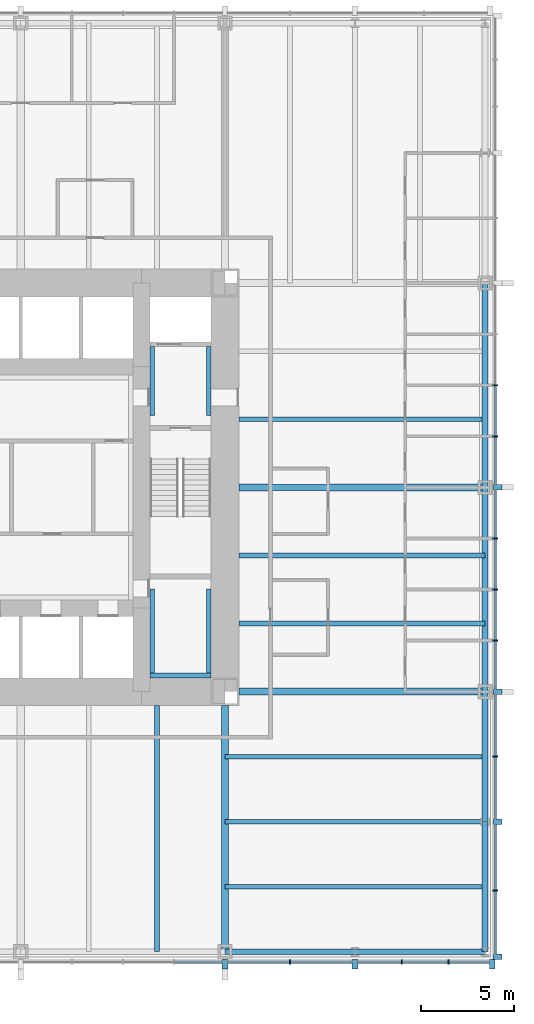
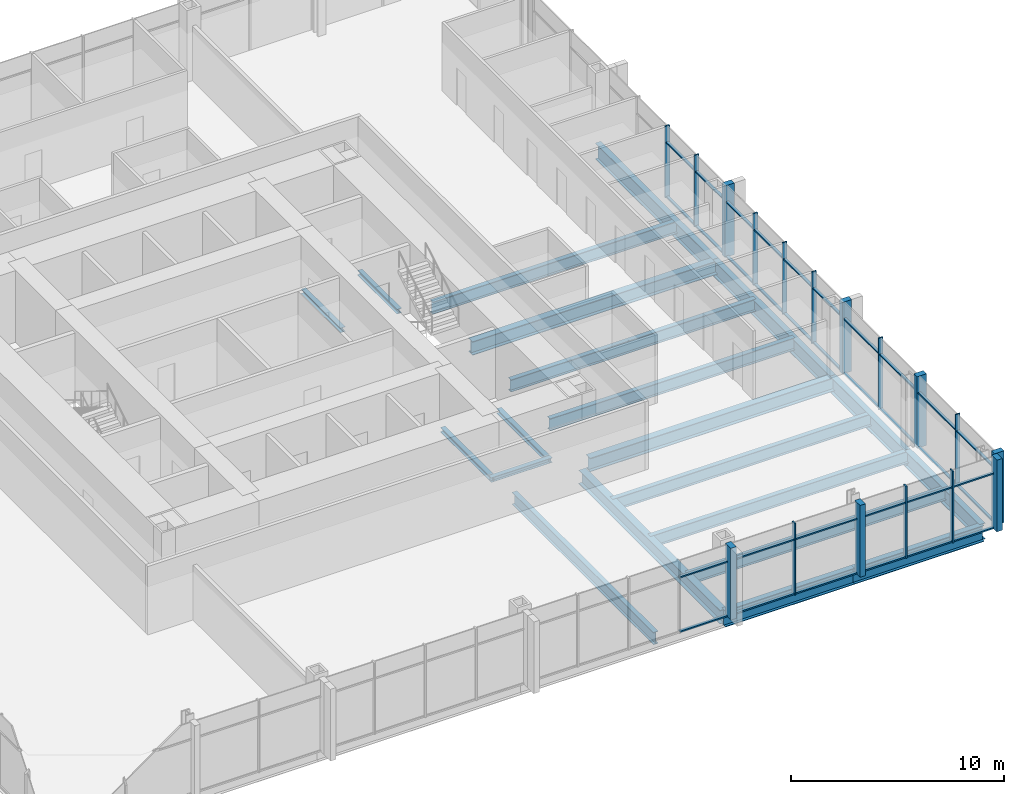
# One storey, part 4 of 12: 49 members, 21 beams, 2 elements without a shape of their own.
"""IFC4 building model written with IfcOpenShell, lengths in metres."""

from ifc_helpers import new_model, si_unit, direction, frame, origin, origin_2d, place, context, subcontext, project, spatial, rectangle, i_section, extrude, material, material_profile, profile_set, type_object, element, aggregate, save


model = new_model("IFC4")

# Units and contexts
model_context = context("Model", 3, precision=1e-05, world=origin(), true_north=direction((0.0, 1.0)))
body_context = subcontext(model_context, "Body", "Model", "MODEL_VIEW")
ifc_project = project(units=[si_unit("LENGTHUNIT", "METRE"), si_unit("AREAUNIT", "SQUARE_METRE"), si_unit("VOLUMEUNIT", "CUBIC_METRE"), si_unit("PLANEANGLEUNIT", "RADIAN"), si_unit("MASSUNIT", "GRAM", prefix="KILO")], contexts=[model_context])

# Site, building, storey
site_placement = place(None, origin())
site = spatial("IfcSite", under=ifc_project, at=site_placement, CompositionType="ELEMENT")
building_placement = place(site_placement, origin())
building = spatial("IfcBuilding", under=site, at=building_placement, Name="Trevanion Tower", CompositionType="ELEMENT")
storey_placement = place(building_placement, frame((0.0, 0.0, 52.89990234375)))
storey = spatial("IfcBuildingStorey", under=building, at=storey_placement, Name="L12", CompositionType="ELEMENT", Elevation=52.89990234375)

# Beams
ifc_material_1 = material(Name="Steel ASTM A992 Grade 50", Category="steel")
ifc_material_profile_1 = material_profile(ifc_material_1, i_section(OverallWidth=0.25390625, OverallDepth=0.700927734375, WebThickness=0.015380859375, FlangeThickness=0.02783203125, at=origin_2d()), Name="W27X129")
ifc_profile_set_1 = profile_set([ifc_material_profile_1], Name="Steel ASTM A992 Grade 50")
beam_type_1 = type_object("IfcBeamType", Name="B3 W27X129", PredefinedType="BEAM", material=ifc_profile_set_1)
for number, where, z_axis, x_axis, name in (
    (1, (11.75, -7.333251953125, -0.540283203125), (1.0, 0.0, 0.0), (0.0, 1.0, 0.0), "B3 L12"),
    (2, (11.75, -3.666748046875, -0.540283203125), (1.0, 0.0, 0.0), (0.0, 1.0, 0.0), "B3 L12"),
    (3, (11.75, 3.666748046875, -0.540283203125), (1.0, 0.0, 0.0), (0.0, 1.0, 0.0), "B3 L12"),
    (4, (7.333251953125, -11.75, -0.540283203125), (0.0, -1.0, 0.0), (1.0, 0.0, 0.0), "B3 L12"),
):
    element("IfcBeam", number, at=place(storey_placement, frame(where, z_axis=z_axis, x_axis=x_axis)), inside=storey, type_object=beam_type_1, Name=name, PredefinedType="BEAM", context=body_context, shape_type="SweptSolid", body=[
        extrude(i_section(OverallWidth=0.25390625, OverallDepth=0.700927734375, WebThickness=0.015380859375, FlangeThickness=0.02783203125, at=origin_2d()), origin(), (0.0, 0.0, 1.0), 13.25),
    ])
ifc_material_2 = material(Name="Steel ASTM A992 Grade 50", Category="steel")
ifc_material_profile_2 = material_profile(ifc_material_2, i_section(OverallWidth=0.256591796875, OverallDepth=0.693359375, WebThickness=0.014404296875, FlangeThickness=0.023681640625, at=origin_2d()), Name="W27X114")
ifc_profile_set_2 = profile_set([ifc_material_profile_2], Name="Steel ASTM A992 Grade 50")
beam_type_2 = type_object("IfcBeamType", Name="B4 W27X114", PredefinedType="BEAM", material=ifc_profile_set_2)
for number, where, z_axis, x_axis, name in (
    (5, (11.0, -14.5, -0.53662109375), (1.0, 0.0, 0.0), (0.0, 1.0, 0.0), "B4 L12"),
    (6, (11.0, -18.0, -0.53662109375), (1.0, 0.0, 0.0), (0.0, 1.0, 0.0), "B4 L12"),
    (7, (11.0, -21.5, -0.53662109375), (1.0, 0.0, 0.0), (0.0, 1.0, 0.0), "B4 L12"),
):
    element("IfcBeam", number, at=place(storey_placement, frame(where, z_axis=z_axis, x_axis=x_axis)), inside=storey, type_object=beam_type_2, Name=name, PredefinedType="BEAM", context=body_context, shape_type="SweptSolid", body=[
        extrude(i_section(OverallWidth=0.256591796875, OverallDepth=0.693359375, WebThickness=0.014404296875, FlangeThickness=0.023681640625, at=origin_2d()), origin(), (0.0, 0.0, 1.0), 14.0),
    ])

# Curtain wall, members
ifc_material_3 = material(Name="Aluminium and glass", Category="aluminium")
curtain_wall_type = type_object("IfcCurtainWallType", Name="CW1 curtain wall", PredefinedType="USERDEFINED", material=ifc_material_3)
curtain_wall_1_placement = place(storey_placement, origin())
curtain_wall_1 = element("IfcCurtainWall", 8, at=curtain_wall_1_placement, inside=storey, type_object=curtain_wall_type, Name="CW1 L12 0", ObjectType="UNITISED CURTAIN WALL", PredefinedType="USERDEFINED")
ifc_material_4 = material(Name="Aluminium extrusion, anodised bronze", Category="aluminium")
ifc_material_profile_3 = material_profile(ifc_material_4, rectangle(XDim=0.074951171875, YDim=0.25, at=origin_2d()), Name="CW1 mullion")
ifc_profile_set_3 = profile_set([ifc_material_profile_3], Name="Aluminium extrusion, anodised bronze")
member_type_1 = type_object("IfcMemberType", Name="CW1 mullion", PredefinedType="MULLION", material=ifc_profile_set_3)
member_1_placement = place(storey_placement, frame((25.550048828125, -21.7099609375, -0.18994140625), z_axis=(0.0, 0.0, 1.0), x_axis=(0.0, 1.0, 0.0)))
member_1 = element("IfcMember", 9, at=member_1_placement, type_object=member_type_1, Name="CW1 mullion 2", PredefinedType="MULLION", context=body_context, shape_type="SweptSolid", body=[
    extrude(rectangle(XDim=0.074951171875, YDim=0.25, at=origin_2d()), origin(), (0.0, 0.0, 1.0), 4.10009765625),
])
member_2_placement = place(storey_placement, frame((25.550048828125, -14.5, -0.18994140625), z_axis=(0.0, 0.0, 1.0), x_axis=(0.0, 1.0, 0.0)))
member_2 = element("IfcMember", 10, at=member_2_placement, type_object=member_type_1, Name="CW1 mullion 4", PredefinedType="MULLION", context=body_context, shape_type="SweptSolid", body=[
    extrude(rectangle(XDim=0.074951171875, YDim=0.25, at=origin_2d()), origin(), (0.0, 0.0, 1.0), 4.10009765625),
])
member_3_placement = place(storey_placement, frame((25.550048828125, -8.25, -0.18994140625), z_axis=(0.0, 0.0, 1.0), x_axis=(0.0, 1.0, 0.0)))
member_3 = element("IfcMember", 11, at=member_3_placement, type_object=member_type_1, Name="CW1 mullion 6", PredefinedType="MULLION", context=body_context, shape_type="SweptSolid", body=[
    extrude(rectangle(XDim=0.074951171875, YDim=0.25, at=origin_2d()), origin(), (0.0, 0.0, 1.0), 4.10009765625),
])
member_4_placement = place(storey_placement, frame((25.550048828125, -5.5, -0.18994140625), z_axis=(0.0, 0.0, 1.0), x_axis=(0.0, 1.0, 0.0)))
member_4 = element("IfcMember", 12, at=member_4_placement, type_object=member_type_1, Name="CW1 mullion 7", PredefinedType="MULLION", context=body_context, shape_type="SweptSolid", body=[
    extrude(rectangle(XDim=0.074951171875, YDim=0.25, at=origin_2d()), origin(), (0.0, 0.0, 1.0), 4.10009765625),
])
member_5_placement = place(storey_placement, frame((25.550048828125, -2.75, -0.18994140625), z_axis=(0.0, 0.0, 1.0), x_axis=(0.0, 1.0, 0.0)))
member_5 = element("IfcMember", 13, at=member_5_placement, type_object=member_type_1, Name="CW1 mullion 8", PredefinedType="MULLION", context=body_context, shape_type="SweptSolid", body=[
    extrude(rectangle(XDim=0.074951171875, YDim=0.25, at=origin_2d()), origin(), (0.0, 0.0, 1.0), 4.10009765625),
])
member_6_placement = place(storey_placement, frame((25.550048828125, 2.75, -0.18994140625), z_axis=(0.0, 0.0, 1.0), x_axis=(0.0, 1.0, 0.0)))
member_6 = element("IfcMember", 14, at=member_6_placement, type_object=member_type_1, Name="CW1 mullion 10", PredefinedType="MULLION", context=body_context, shape_type="SweptSolid", body=[
    extrude(rectangle(XDim=0.074951171875, YDim=0.25, at=origin_2d()), origin(), (0.0, 0.0, 1.0), 4.10009765625),
])
member_7_placement = place(storey_placement, frame((25.550048828125, 5.5, -0.18994140625), z_axis=(0.0, 0.0, 1.0), x_axis=(0.0, 1.0, 0.0)))
member_7 = element("IfcMember", 15, at=member_7_placement, type_object=member_type_1, Name="CW1 mullion 11", PredefinedType="MULLION", context=body_context, shape_type="SweptSolid", body=[
    extrude(rectangle(XDim=0.074951171875, YDim=0.25, at=origin_2d()), origin(), (0.0, 0.0, 1.0), 4.10009765625),
])

curtain_wall_2_placement = place(storey_placement, origin())
curtain_wall_2 = element("IfcCurtainWall", 16, at=curtain_wall_2_placement, inside=storey, type_object=curtain_wall_type, Name="CW1 L12 3", ObjectType="UNITISED CURTAIN WALL", PredefinedType="USERDEFINED")
member_8_placement = place(storey_placement, frame((14.5, -25.550048828125, -0.18994140625), z_axis=(0.0, 0.0, 1.0), x_axis=(1.0, 0.0, 0.0)))
member_8 = element("IfcMember", 17, at=member_8_placement, type_object=member_type_1, Name="CW1 mullion 14", PredefinedType="MULLION", context=body_context, shape_type="SweptSolid", body=[
    extrude(rectangle(XDim=0.074951171875, YDim=0.25, at=origin_2d()), origin(), (0.0, 0.0, 1.0), 4.10009765625),
])
member_9_placement = place(storey_placement, frame((20.5166015625, -25.550048828125, -0.18994140625), z_axis=(0.0, 0.0, 1.0), x_axis=(1.0, 0.0, 0.0)))
member_9 = element("IfcMember", 18, at=member_9_placement, type_object=member_type_1, Name="CW1 mullion 16", PredefinedType="MULLION", context=body_context, shape_type="SweptSolid", body=[
    extrude(rectangle(XDim=0.074951171875, YDim=0.25, at=origin_2d()), origin(), (0.0, 0.0, 1.0), 4.10009765625),
])
member_10_placement = place(storey_placement, frame((23.033203125, -25.550048828125, -0.18994140625), z_axis=(0.0, 0.0, 1.0), x_axis=(1.0, 0.0, 0.0)))
member_10 = element("IfcMember", 19, at=member_10_placement, type_object=member_type_1, Name="CW1 mullion 17", PredefinedType="MULLION", context=body_context, shape_type="SweptSolid", body=[
    extrude(rectangle(XDim=0.074951171875, YDim=0.25, at=origin_2d()), origin(), (0.0, 0.0, 1.0), 4.10009765625),
])

# Member
ifc_material_5 = material(Name="Aluminium extrusion, anodised bronze", Category="aluminium")
ifc_material_profile_4 = material_profile(ifc_material_5, rectangle(XDim=0.300048828125, YDim=0.5, at=origin_2d()), Name="CW1 pier mullion")
ifc_profile_set_4 = profile_set([ifc_material_profile_4], Name="Aluminium extrusion, anodised bronze")
member_type_2 = type_object("IfcMemberType", Name="CW1 pier mullion", PredefinedType="MULLION", material=ifc_profile_set_4)
member_11_placement = place(storey_placement, frame((25.675048828125, -25.27001953125, -0.18994140625), z_axis=(0.0, 0.0, 1.0), x_axis=(0.0, 1.0, 0.0)))
member_11 = element("IfcMember", 20, at=member_11_placement, type_object=member_type_2, Name="CW1 pier mullion 1", PredefinedType="MULLION", context=body_context, shape_type="SweptSolid", body=[
    extrude(rectangle(XDim=0.300048828125, YDim=0.5, at=origin_2d()), origin(), (0.0, 0.0, 1.0), 4.10009765625),
])

member_12_placement = place(storey_placement, frame((25.675048828125, -18.0, -0.18994140625), z_axis=(0.0, 0.0, 1.0), x_axis=(0.0, 1.0, 0.0)))
member_12 = element("IfcMember", 21, at=member_12_placement, type_object=member_type_2, Name="CW1 pier mullion 3", PredefinedType="MULLION", context=body_context, shape_type="SweptSolid", body=[
    extrude(rectangle(XDim=0.300048828125, YDim=0.5, at=origin_2d()), origin(), (0.0, 0.0, 1.0), 4.10009765625),
])

member_13_placement = place(storey_placement, frame((25.675048828125, -11.0, -0.18994140625), z_axis=(0.0, 0.0, 1.0), x_axis=(0.0, 1.0, 0.0)))
member_13 = element("IfcMember", 22, at=member_13_placement, type_object=member_type_2, Name="CW1 pier mullion 5", PredefinedType="MULLION", context=body_context, shape_type="SweptSolid", body=[
    extrude(rectangle(XDim=0.300048828125, YDim=0.5, at=origin_2d()), origin(), (0.0, 0.0, 1.0), 4.10009765625),
])

member_14_placement = place(storey_placement, frame((25.675048828125, 0.0, -0.18994140625), z_axis=(0.0, 0.0, 1.0), x_axis=(0.0, 1.0, 0.0)))
member_14 = element("IfcMember", 23, at=member_14_placement, type_object=member_type_2, Name="CW1 pier mullion 9", PredefinedType="MULLION", context=body_context, shape_type="SweptSolid", body=[
    extrude(rectangle(XDim=0.300048828125, YDim=0.5, at=origin_2d()), origin(), (0.0, 0.0, 1.0), 4.10009765625),
])

member_15_placement = place(storey_placement, frame((11.0, -25.675048828125, -0.18994140625), z_axis=(0.0, 0.0, 1.0), x_axis=(1.0, 0.0, 0.0)))
member_15 = element("IfcMember", 24, at=member_15_placement, type_object=member_type_2, Name="CW1 pier mullion 13", PredefinedType="MULLION", context=body_context, shape_type="SweptSolid", body=[
    extrude(rectangle(XDim=0.300048828125, YDim=0.5, at=origin_2d()), origin(), (0.0, 0.0, 1.0), 4.10009765625),
])

member_16_placement = place(storey_placement, frame((18.0, -25.675048828125, -0.18994140625), z_axis=(0.0, 0.0, 1.0), x_axis=(1.0, 0.0, 0.0)))
member_16 = element("IfcMember", 25, at=member_16_placement, type_object=member_type_2, Name="CW1 pier mullion 15", PredefinedType="MULLION", context=body_context, shape_type="SweptSolid", body=[
    extrude(rectangle(XDim=0.300048828125, YDim=0.5, at=origin_2d()), origin(), (0.0, 0.0, 1.0), 4.10009765625),
])

member_17_placement = place(storey_placement, frame((25.39990234375, -25.675048828125, -0.18994140625), z_axis=(0.0, 0.0, 1.0), x_axis=(1.0, 0.0, 0.0)))
member_17 = element("IfcMember", 26, at=member_17_placement, type_object=member_type_2, Name="CW1 pier mullion 18", PredefinedType="MULLION", context=body_context, shape_type="SweptSolid", body=[
    extrude(rectangle(XDim=0.300048828125, YDim=0.5, at=origin_2d()), origin(), (0.0, 0.0, 1.0), 4.10009765625),
])

ifc_material_6 = material(Name="Aluminium extrusion, anodised bronze", Category="aluminium")
ifc_material_profile_5 = material_profile(ifc_material_6, rectangle(XDim=0.14990234375, YDim=0.074951171875, at=origin_2d()), Name="CW1 transom")
ifc_profile_set_5 = profile_set([ifc_material_profile_5], Name="Aluminium extrusion, anodised bronze")
member_type_3 = type_object("IfcMemberType", Name="CW1 transom", PredefinedType="USERDEFINED", material=ifc_profile_set_5)
member_18_placement = place(storey_placement, frame((25.550048828125, -25.1201171875, -0.15234375), z_axis=(0.0, 1.0, 0.0), x_axis=(-1.0, 0.0, 0.0)))
member_18 = element("IfcMember", 27, at=member_18_placement, type_object=member_type_3, Name="CW1 transom 1.1", ObjectType="TRANSOM", PredefinedType="USERDEFINED", context=body_context, shape_type="SweptSolid", body=[
    extrude(rectangle(XDim=0.14990234375, YDim=0.074951171875, at=origin_2d()), origin(), (0.0, 0.0, 1.0), 3.37255859375),
])

member_19_placement = place(storey_placement, frame((25.550048828125, -25.1201171875, 2.960205078125), z_axis=(0.0, 1.0, 0.0), x_axis=(-1.0, 0.0, 0.0)))
member_19 = element("IfcMember", 28, at=member_19_placement, type_object=member_type_3, Name="CW1 transom 1.2", ObjectType="TRANSOM", PredefinedType="USERDEFINED", context=body_context, shape_type="SweptSolid", body=[
    extrude(rectangle(XDim=0.14990234375, YDim=0.074951171875, at=origin_2d()), origin(), (0.0, 0.0, 1.0), 3.37255859375),
])

member_20_placement = place(storey_placement, frame((25.550048828125, -21.672607421875, -0.15234375), z_axis=(0.0, 1.0, 0.0), x_axis=(-1.0, 0.0, 0.0)))
member_20 = element("IfcMember", 29, at=member_20_placement, type_object=member_type_3, Name="CW1 transom 2.1", ObjectType="TRANSOM", PredefinedType="USERDEFINED", context=body_context, shape_type="SweptSolid", body=[
    extrude(rectangle(XDim=0.14990234375, YDim=0.074951171875, at=origin_2d()), origin(), (0.0, 0.0, 1.0), 3.522705078125),
])

member_21_placement = place(storey_placement, frame((25.550048828125, -21.672607421875, 2.960205078125), z_axis=(0.0, 1.0, 0.0), x_axis=(-1.0, 0.0, 0.0)))
member_21 = element("IfcMember", 30, at=member_21_placement, type_object=member_type_3, Name="CW1 transom 2.2", ObjectType="TRANSOM", PredefinedType="USERDEFINED", context=body_context, shape_type="SweptSolid", body=[
    extrude(rectangle(XDim=0.14990234375, YDim=0.074951171875, at=origin_2d()), origin(), (0.0, 0.0, 1.0), 3.522705078125),
])

member_22_placement = place(storey_placement, frame((25.550048828125, -17.85009765625, -0.15234375), z_axis=(0.0, 1.0, 0.0), x_axis=(-1.0, 0.0, 0.0)))
member_22 = element("IfcMember", 31, at=member_22_placement, type_object=member_type_3, Name="CW1 transom 3.1", ObjectType="TRANSOM", PredefinedType="USERDEFINED", context=body_context, shape_type="SweptSolid", body=[
    extrude(rectangle(XDim=0.14990234375, YDim=0.074951171875, at=origin_2d()), origin(), (0.0, 0.0, 1.0), 3.3125),
])

member_23_placement = place(storey_placement, frame((25.550048828125, -17.85009765625, 2.960205078125), z_axis=(0.0, 1.0, 0.0), x_axis=(-1.0, 0.0, 0.0)))
member_23 = element("IfcMember", 32, at=member_23_placement, type_object=member_type_3, Name="CW1 transom 3.2", ObjectType="TRANSOM", PredefinedType="USERDEFINED", context=body_context, shape_type="SweptSolid", body=[
    extrude(rectangle(XDim=0.14990234375, YDim=0.074951171875, at=origin_2d()), origin(), (0.0, 0.0, 1.0), 3.3125),
])

member_24_placement = place(storey_placement, frame((25.550048828125, -14.46240234375, -0.15234375), z_axis=(0.0, 1.0, 0.0), x_axis=(-1.0, 0.0, 0.0)))
member_24 = element("IfcMember", 33, at=member_24_placement, type_object=member_type_3, Name="CW1 transom 4.1", ObjectType="TRANSOM", PredefinedType="USERDEFINED", context=body_context, shape_type="SweptSolid", body=[
    extrude(rectangle(XDim=0.14990234375, YDim=0.074951171875, at=origin_2d()), origin(), (0.0, 0.0, 1.0), 3.3125),
])

member_25_placement = place(storey_placement, frame((25.550048828125, -14.46240234375, 2.960205078125), z_axis=(0.0, 1.0, 0.0), x_axis=(-1.0, 0.0, 0.0)))
member_25 = element("IfcMember", 34, at=member_25_placement, type_object=member_type_3, Name="CW1 transom 4.2", ObjectType="TRANSOM", PredefinedType="USERDEFINED", context=body_context, shape_type="SweptSolid", body=[
    extrude(rectangle(XDim=0.14990234375, YDim=0.074951171875, at=origin_2d()), origin(), (0.0, 0.0, 1.0), 3.3125),
])

member_26_placement = place(storey_placement, frame((25.550048828125, -10.85009765625, -0.15234375), z_axis=(0.0, 1.0, 0.0), x_axis=(-1.0, 0.0, 0.0)))
member_26 = element("IfcMember", 35, at=member_26_placement, type_object=member_type_3, Name="CW1 transom 5.1", ObjectType="TRANSOM", PredefinedType="USERDEFINED", context=body_context, shape_type="SweptSolid", body=[
    extrude(rectangle(XDim=0.14990234375, YDim=0.074951171875, at=origin_2d()), origin(), (0.0, 0.0, 1.0), 2.5625),
])

member_27_placement = place(storey_placement, frame((25.550048828125, -10.85009765625, 2.960205078125), z_axis=(0.0, 1.0, 0.0), x_axis=(-1.0, 0.0, 0.0)))
member_27 = element("IfcMember", 36, at=member_27_placement, type_object=member_type_3, Name="CW1 transom 5.2", ObjectType="TRANSOM", PredefinedType="USERDEFINED", context=body_context, shape_type="SweptSolid", body=[
    extrude(rectangle(XDim=0.14990234375, YDim=0.074951171875, at=origin_2d()), origin(), (0.0, 0.0, 1.0), 2.5625),
])

member_28_placement = place(storey_placement, frame((25.550048828125, -8.21240234375, -0.15234375), z_axis=(0.0, 1.0, 0.0), x_axis=(-1.0, 0.0, 0.0)))
member_28 = element("IfcMember", 37, at=member_28_placement, type_object=member_type_3, Name="CW1 transom 6.1", ObjectType="TRANSOM", PredefinedType="USERDEFINED", context=body_context, shape_type="SweptSolid", body=[
    extrude(rectangle(XDim=0.14990234375, YDim=0.074951171875, at=origin_2d()), origin(), (0.0, 0.0, 1.0), 2.6748046875),
])

member_29_placement = place(storey_placement, frame((25.550048828125, -8.21240234375, 2.960205078125), z_axis=(0.0, 1.0, 0.0), x_axis=(-1.0, 0.0, 0.0)))
member_29 = element("IfcMember", 38, at=member_29_placement, type_object=member_type_3, Name="CW1 transom 6.2", ObjectType="TRANSOM", PredefinedType="USERDEFINED", context=body_context, shape_type="SweptSolid", body=[
    extrude(rectangle(XDim=0.14990234375, YDim=0.074951171875, at=origin_2d()), origin(), (0.0, 0.0, 1.0), 2.6748046875),
])

member_30_placement = place(storey_placement, frame((25.550048828125, -5.46240234375, -0.15234375), z_axis=(0.0, 1.0, 0.0), x_axis=(-1.0, 0.0, 0.0)))
member_30 = element("IfcMember", 39, at=member_30_placement, type_object=member_type_3, Name="CW1 transom 7.1", ObjectType="TRANSOM", PredefinedType="USERDEFINED", context=body_context, shape_type="SweptSolid", body=[
    extrude(rectangle(XDim=0.14990234375, YDim=0.074951171875, at=origin_2d()), origin(), (0.0, 0.0, 1.0), 2.6748046875),
])

member_31_placement = place(storey_placement, frame((25.550048828125, -5.46240234375, 2.960205078125), z_axis=(0.0, 1.0, 0.0), x_axis=(-1.0, 0.0, 0.0)))
member_31 = element("IfcMember", 40, at=member_31_placement, type_object=member_type_3, Name="CW1 transom 7.2", ObjectType="TRANSOM", PredefinedType="USERDEFINED", context=body_context, shape_type="SweptSolid", body=[
    extrude(rectangle(XDim=0.14990234375, YDim=0.074951171875, at=origin_2d()), origin(), (0.0, 0.0, 1.0), 2.6748046875),
])

member_32_placement = place(storey_placement, frame((25.550048828125, -2.71240234375, -0.15234375), z_axis=(0.0, 1.0, 0.0), x_axis=(-1.0, 0.0, 0.0)))
member_32 = element("IfcMember", 41, at=member_32_placement, type_object=member_type_3, Name="CW1 transom 8.1", ObjectType="TRANSOM", PredefinedType="USERDEFINED", context=body_context, shape_type="SweptSolid", body=[
    extrude(rectangle(XDim=0.14990234375, YDim=0.074951171875, at=origin_2d()), origin(), (0.0, 0.0, 1.0), 2.5625),
])

member_33_placement = place(storey_placement, frame((25.550048828125, -2.71240234375, 2.960205078125), z_axis=(0.0, 1.0, 0.0), x_axis=(-1.0, 0.0, 0.0)))
member_33 = element("IfcMember", 42, at=member_33_placement, type_object=member_type_3, Name="CW1 transom 8.2", ObjectType="TRANSOM", PredefinedType="USERDEFINED", context=body_context, shape_type="SweptSolid", body=[
    extrude(rectangle(XDim=0.14990234375, YDim=0.074951171875, at=origin_2d()), origin(), (0.0, 0.0, 1.0), 2.5625),
])

member_34_placement = place(storey_placement, frame((25.550048828125, 0.14990234375, -0.15234375), z_axis=(0.0, 1.0, 0.0), x_axis=(-1.0, 0.0, 0.0)))
member_34 = element("IfcMember", 43, at=member_34_placement, type_object=member_type_3, Name="CW1 transom 9.1", ObjectType="TRANSOM", PredefinedType="USERDEFINED", context=body_context, shape_type="SweptSolid", body=[
    extrude(rectangle(XDim=0.14990234375, YDim=0.074951171875, at=origin_2d()), origin(), (0.0, 0.0, 1.0), 2.5625),
])

member_35_placement = place(storey_placement, frame((25.550048828125, 0.14990234375, 2.960205078125), z_axis=(0.0, 1.0, 0.0), x_axis=(-1.0, 0.0, 0.0)))
member_35 = element("IfcMember", 44, at=member_35_placement, type_object=member_type_3, Name="CW1 transom 9.2", ObjectType="TRANSOM", PredefinedType="USERDEFINED", context=body_context, shape_type="SweptSolid", body=[
    extrude(rectangle(XDim=0.14990234375, YDim=0.074951171875, at=origin_2d()), origin(), (0.0, 0.0, 1.0), 2.5625),
])

member_36_placement = place(storey_placement, frame((25.550048828125, 2.78759765625, -0.15234375), z_axis=(0.0, 1.0, 0.0), x_axis=(-1.0, 0.0, 0.0)))
member_36 = element("IfcMember", 45, at=member_36_placement, type_object=member_type_3, Name="CW1 transom 10.1", ObjectType="TRANSOM", PredefinedType="USERDEFINED", context=body_context, shape_type="SweptSolid", body=[
    extrude(rectangle(XDim=0.14990234375, YDim=0.074951171875, at=origin_2d()), origin(), (0.0, 0.0, 1.0), 2.6748046875),
])

member_37_placement = place(storey_placement, frame((25.550048828125, 2.78759765625, 2.960205078125), z_axis=(0.0, 1.0, 0.0), x_axis=(-1.0, 0.0, 0.0)))
member_37 = element("IfcMember", 46, at=member_37_placement, type_object=member_type_3, Name="CW1 transom 10.2", ObjectType="TRANSOM", PredefinedType="USERDEFINED", context=body_context, shape_type="SweptSolid", body=[
    extrude(rectangle(XDim=0.14990234375, YDim=0.074951171875, at=origin_2d()), origin(), (0.0, 0.0, 1.0), 2.6748046875),
])

aggregate(curtain_wall_1, [member_11, member_1, member_12, member_2, member_13, member_3, member_4, member_5, member_14, member_6, member_7, member_18, member_19, member_20, member_21, member_22, member_23, member_24, member_25, member_26, member_27, member_28, member_29, member_30, member_31, member_32, member_33, member_34, member_35, member_36, member_37])

member_38_placement = place(storey_placement, frame((8.28759765625, -25.550048828125, -0.15234375), z_axis=(1.0, 0.0, 0.0), x_axis=(0.0, 1.0, 0.0)))
member_38 = element("IfcMember", 47, at=member_38_placement, type_object=member_type_3, Name="CW1 transom 12.1", ObjectType="TRANSOM", PredefinedType="USERDEFINED", context=body_context, shape_type="SweptSolid", body=[
    extrude(rectangle(XDim=0.14990234375, YDim=0.074951171875, at=origin_2d()), origin(), (0.0, 0.0, 1.0), 2.5625),
])

member_39_placement = place(storey_placement, frame((8.28759765625, -25.550048828125, 2.960205078125), z_axis=(1.0, 0.0, 0.0), x_axis=(0.0, 1.0, 0.0)))
member_39 = element("IfcMember", 48, at=member_39_placement, type_object=member_type_3, Name="CW1 transom 12.2", ObjectType="TRANSOM", PredefinedType="USERDEFINED", context=body_context, shape_type="SweptSolid", body=[
    extrude(rectangle(XDim=0.14990234375, YDim=0.074951171875, at=origin_2d()), origin(), (0.0, 0.0, 1.0), 2.5625),
])

member_40_placement = place(storey_placement, frame((11.14990234375, -25.550048828125, -0.15234375), z_axis=(1.0, 0.0, 0.0), x_axis=(0.0, 1.0, 0.0)))
member_40 = element("IfcMember", 49, at=member_40_placement, type_object=member_type_3, Name="CW1 transom 13.1", ObjectType="TRANSOM", PredefinedType="USERDEFINED", context=body_context, shape_type="SweptSolid", body=[
    extrude(rectangle(XDim=0.14990234375, YDim=0.074951171875, at=origin_2d()), origin(), (0.0, 0.0, 1.0), 3.3125),
])

member_41_placement = place(storey_placement, frame((11.14990234375, -25.550048828125, 2.960205078125), z_axis=(1.0, 0.0, 0.0), x_axis=(0.0, 1.0, 0.0)))
member_41 = element("IfcMember", 50, at=member_41_placement, type_object=member_type_3, Name="CW1 transom 13.2", ObjectType="TRANSOM", PredefinedType="USERDEFINED", context=body_context, shape_type="SweptSolid", body=[
    extrude(rectangle(XDim=0.14990234375, YDim=0.074951171875, at=origin_2d()), origin(), (0.0, 0.0, 1.0), 3.3125),
])

member_42_placement = place(storey_placement, frame((14.53759765625, -25.550048828125, -0.15234375), z_axis=(1.0, 0.0, 0.0), x_axis=(0.0, 1.0, 0.0)))
member_42 = element("IfcMember", 51, at=member_42_placement, type_object=member_type_3, Name="CW1 transom 14.1", ObjectType="TRANSOM", PredefinedType="USERDEFINED", context=body_context, shape_type="SweptSolid", body=[
    extrude(rectangle(XDim=0.14990234375, YDim=0.074951171875, at=origin_2d()), origin(), (0.0, 0.0, 1.0), 3.3125),
])

member_43_placement = place(storey_placement, frame((14.53759765625, -25.550048828125, 2.960205078125), z_axis=(1.0, 0.0, 0.0), x_axis=(0.0, 1.0, 0.0)))
member_43 = element("IfcMember", 52, at=member_43_placement, type_object=member_type_3, Name="CW1 transom 14.2", ObjectType="TRANSOM", PredefinedType="USERDEFINED", context=body_context, shape_type="SweptSolid", body=[
    extrude(rectangle(XDim=0.14990234375, YDim=0.074951171875, at=origin_2d()), origin(), (0.0, 0.0, 1.0), 3.3125),
])

member_44_placement = place(storey_placement, frame((18.14990234375, -25.550048828125, -0.15234375), z_axis=(1.0, 0.0, 0.0), x_axis=(0.0, 1.0, 0.0)))
member_44 = element("IfcMember", 53, at=member_44_placement, type_object=member_type_3, Name="CW1 transom 15.1", ObjectType="TRANSOM", PredefinedType="USERDEFINED", context=body_context, shape_type="SweptSolid", body=[
    extrude(rectangle(XDim=0.14990234375, YDim=0.074951171875, at=origin_2d()), origin(), (0.0, 0.0, 1.0), 2.329345703125),
])

member_45_placement = place(storey_placement, frame((18.14990234375, -25.550048828125, 2.960205078125), z_axis=(1.0, 0.0, 0.0), x_axis=(0.0, 1.0, 0.0)))
member_45 = element("IfcMember", 54, at=member_45_placement, type_object=member_type_3, Name="CW1 transom 15.2", ObjectType="TRANSOM", PredefinedType="USERDEFINED", context=body_context, shape_type="SweptSolid", body=[
    extrude(rectangle(XDim=0.14990234375, YDim=0.074951171875, at=origin_2d()), origin(), (0.0, 0.0, 1.0), 2.329345703125),
])

member_46_placement = place(storey_placement, frame((20.55419921875, -25.550048828125, -0.15234375), z_axis=(1.0, 0.0, 0.0), x_axis=(0.0, 1.0, 0.0)))
member_46 = element("IfcMember", 55, at=member_46_placement, type_object=member_type_3, Name="CW1 transom 16.1", ObjectType="TRANSOM", PredefinedType="USERDEFINED", context=body_context, shape_type="SweptSolid", body=[
    extrude(rectangle(XDim=0.14990234375, YDim=0.074951171875, at=origin_2d()), origin(), (0.0, 0.0, 1.0), 2.441650390625),
])

member_47_placement = place(storey_placement, frame((20.55419921875, -25.550048828125, 2.960205078125), z_axis=(1.0, 0.0, 0.0), x_axis=(0.0, 1.0, 0.0)))
member_47 = element("IfcMember", 56, at=member_47_placement, type_object=member_type_3, Name="CW1 transom 16.2", ObjectType="TRANSOM", PredefinedType="USERDEFINED", context=body_context, shape_type="SweptSolid", body=[
    extrude(rectangle(XDim=0.14990234375, YDim=0.074951171875, at=origin_2d()), origin(), (0.0, 0.0, 1.0), 2.441650390625),
])

member_48_placement = place(storey_placement, frame((23.07080078125, -25.550048828125, -0.15234375), z_axis=(1.0, 0.0, 0.0), x_axis=(0.0, 1.0, 0.0)))
member_48 = element("IfcMember", 57, at=member_48_placement, type_object=member_type_3, Name="CW1 transom 17.1", ObjectType="TRANSOM", PredefinedType="USERDEFINED", context=body_context, shape_type="SweptSolid", body=[
    extrude(rectangle(XDim=0.14990234375, YDim=0.074951171875, at=origin_2d()), origin(), (0.0, 0.0, 1.0), 2.17919921875),
])

member_49_placement = place(storey_placement, frame((23.07080078125, -25.550048828125, 2.960205078125), z_axis=(1.0, 0.0, 0.0), x_axis=(0.0, 1.0, 0.0)))
member_49 = element("IfcMember", 58, at=member_49_placement, type_object=member_type_3, Name="CW1 transom 17.2", ObjectType="TRANSOM", PredefinedType="USERDEFINED", context=body_context, shape_type="SweptSolid", body=[
    extrude(rectangle(XDim=0.14990234375, YDim=0.074951171875, at=origin_2d()), origin(), (0.0, 0.0, 1.0), 2.17919921875),
])

aggregate(curtain_wall_2, [member_15, member_8, member_16, member_9, member_10, member_17, member_38, member_39, member_40, member_41, member_42, member_43, member_44, member_45, member_46, member_47, member_48, member_49])

# Beams
ifc_material_7 = material(Name="Steel ASTM A992 Grade 50", Category="steel")
ifc_material_profile_6 = material_profile(ifc_material_7, i_section(OverallWidth=0.381103515625, OverallDepth=0.77978515625, WebThickness=0.01806640625, FlangeThickness=0.0302734375, at=origin_2d()), Name="W30X191")
ifc_profile_set_6 = profile_set([ifc_material_profile_6], Name="Steel ASTM A992 Grade 50")
beam_type_3 = type_object("IfcBeamType", Name="G2 W30X191", PredefinedType="BEAM", material=ifc_profile_set_6)
for number, where, z_axis, x_axis, name in (
    (59, (11.75, -11.0, -0.579833984375), (1.0, 0.0, 0.0), (0.0, 1.0, 0.0), "G2 L12"),
    (60, (11.75, 0.0, -0.579833984375), (1.0, 0.0, 0.0), (0.0, 1.0, 0.0), "G2 L12"),
    (61, (11.0, -11.75, -0.579833984375), (0.0, -1.0, 0.0), (1.0, 0.0, 0.0), "G2 L12"),
):
    element("IfcBeam", number, at=place(storey_placement, frame(where, z_axis=z_axis, x_axis=x_axis)), inside=storey, type_object=beam_type_3, Name=name, PredefinedType="BEAM", context=body_context, shape_type="SweptSolid", body=[
        extrude(i_section(OverallWidth=0.381103515625, OverallDepth=0.77978515625, WebThickness=0.01806640625, FlangeThickness=0.0302734375, at=origin_2d()), origin(), (0.0, 0.0, 1.0), 13.25),
    ])
ifc_material_8 = material(Name="Steel ASTM A992 Grade 50", Category="steel")
ifc_material_profile_7 = material_profile(ifc_material_8, i_section(OverallWidth=0.256591796875, OverallDepth=0.26416015625, WebThickness=0.011962890625, FlangeThickness=0.01953125, at=origin_2d()), Name="W10X68")
ifc_profile_set_7 = profile_set([ifc_material_profile_7], Name="Steel ASTM A992 Grade 50")
beam_type_4 = type_object("IfcBeamType", Name="LB1 W10X68", PredefinedType="BEAM", material=ifc_profile_set_7)
for number, where, z_axis, x_axis, name in (
    (62, (7.078369140625, 3.875, -0.33203125), (0.0, 1.0, 0.0), (-1.0, 0.0, 0.0), "LB1 L12"),
    (63, (10.12158203125, 3.875, -0.33203125), (0.0, 1.0, 0.0), (-1.0, 0.0, 0.0), "LB1 L12"),
):
    element("IfcBeam", number, at=place(storey_placement, frame(where, z_axis=z_axis, x_axis=x_axis)), inside=storey, type_object=beam_type_4, Name=name, PredefinedType="BEAM", context=body_context, shape_type="SweptSolid", body=[
        extrude(i_section(OverallWidth=0.256591796875, OverallDepth=0.26416015625, WebThickness=0.011962890625, FlangeThickness=0.01953125, at=origin_2d()), origin(), (0.0, 0.0, 1.0), 3.699951171875),
    ])
for number, where, z_axis, x_axis, name in (
    (64, (7.078369140625, -10.25, -0.33203125), (0.0, 1.0, 0.0), (-1.0, 0.0, 0.0), "LB1 L12"),
    (65, (10.12158203125, -10.25, -0.33203125), (0.0, 1.0, 0.0), (-1.0, 0.0, 0.0), "LB1 L12"),
):
    element("IfcBeam", number, at=place(storey_placement, frame(where, z_axis=z_axis, x_axis=x_axis)), inside=storey, type_object=beam_type_4, Name=name, PredefinedType="BEAM", context=body_context, shape_type="SweptSolid", body=[
        extrude(i_section(OverallWidth=0.256591796875, OverallDepth=0.26416015625, WebThickness=0.011962890625, FlangeThickness=0.01953125, at=origin_2d()), origin(), (0.0, 0.0, 1.0), 4.77490234375),
    ])
beam_placement = place(storey_placement, frame((6.949951171875, -10.12158203125, -0.33203125), z_axis=(1.0, 0.0, 0.0), x_axis=(0.0, 1.0, 0.0)))
element("IfcBeam", 66, at=beam_placement, inside=storey, type_object=beam_type_4, Name="LB1 L12", PredefinedType="BEAM", context=body_context, shape_type="SweptSolid", body=[
    extrude(i_section(OverallWidth=0.256591796875, OverallDepth=0.26416015625, WebThickness=0.011962890625, FlangeThickness=0.01953125, at=origin_2d()), origin(), (0.0, 0.0, 1.0), 3.300048828125),
])
ifc_material_9 = material(Name="Steel ASTM A992 Grade 50", Category="steel")
ifc_material_profile_8 = material_profile(ifc_material_9, i_section(OverallWidth=0.307373046875, OverallDepth=0.927001953125, WebThickness=0.01953125, FlangeThickness=0.031982421875, at=origin_2d()), Name="W36X194")
ifc_profile_set_8 = profile_set([ifc_material_profile_8], Name="Steel ASTM A992 Grade 50")
beam_type_5 = type_object("IfcBeamType", Name="SB2 W36X194", PredefinedType="SPANDREL", material=ifc_profile_set_8)
for number, where, z_axis, x_axis, name in (
    (67, (25.0, -25.0, -0.6533203125), (0.0, 1.0, 0.0), (-1.0, 0.0, 0.0), "SB2 L12"),
    (68, (25.0, -18.0, -0.6533203125), (0.0, 1.0, 0.0), (-1.0, 0.0, 0.0), "SB2 L12"),
):
    element("IfcBeam", number, at=place(storey_placement, frame(where, z_axis=z_axis, x_axis=x_axis)), inside=storey, type_object=beam_type_5, Name=name, PredefinedType="SPANDREL", context=body_context, shape_type="SweptSolid", body=[
        extrude(i_section(OverallWidth=0.307373046875, OverallDepth=0.927001953125, WebThickness=0.01953125, FlangeThickness=0.031982421875, at=origin_2d()), origin(), (0.0, 0.0, 1.0), 7.0),
    ])
for number, where, z_axis, x_axis, name in (
    (69, (25.0, -11.0, -0.6533203125), (0.0, 1.0, 0.0), (-1.0, 0.0, 0.0), "SB2 L12"),
    (70, (25.0, 0.0, -0.6533203125), (0.0, 1.0, 0.0), (-1.0, 0.0, 0.0), "SB2 L12"),
):
    element("IfcBeam", number, at=place(storey_placement, frame(where, z_axis=z_axis, x_axis=x_axis)), inside=storey, type_object=beam_type_5, Name=name, PredefinedType="SPANDREL", context=body_context, shape_type="SweptSolid", body=[
        extrude(i_section(OverallWidth=0.307373046875, OverallDepth=0.927001953125, WebThickness=0.01953125, FlangeThickness=0.031982421875, at=origin_2d()), origin(), (0.0, 0.0, 1.0), 11.0),
    ])
for number, where, z_axis, x_axis, name in (
    (71, (11.0, -25.0, -0.6533203125), (1.0, 0.0, 0.0), (0.0, 1.0, 0.0), "SB2 L12"),
    (72, (18.0, -25.0, -0.6533203125), (1.0, 0.0, 0.0), (0.0, 1.0, 0.0), "SB2 L12"),
):
    element("IfcBeam", number, at=place(storey_placement, frame(where, z_axis=z_axis, x_axis=x_axis)), inside=storey, type_object=beam_type_5, Name=name, PredefinedType="SPANDREL", context=body_context, shape_type="SweptSolid", body=[
        extrude(i_section(OverallWidth=0.307373046875, OverallDepth=0.927001953125, WebThickness=0.01953125, FlangeThickness=0.031982421875, at=origin_2d()), origin(), (0.0, 0.0, 1.0), 7.0),
    ])

save(model, "model.ifc")
